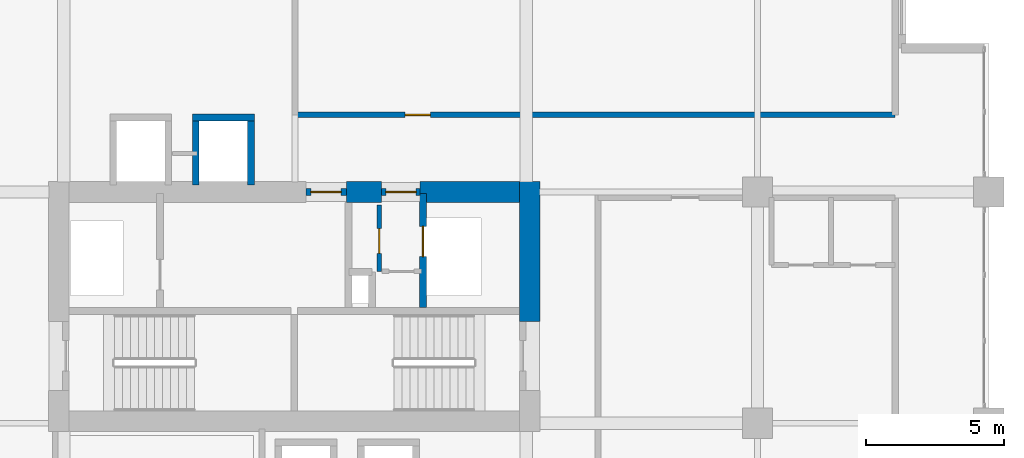
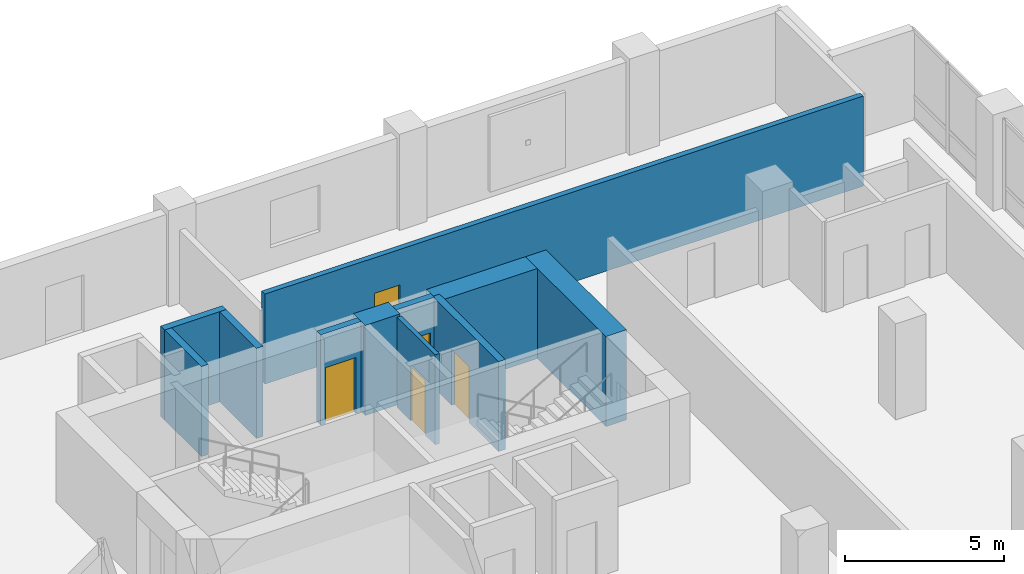
# One storey, part 11 of 22: 11 walls, 5 doors, 5 openings.
"""IFC4 building model written with IfcOpenShell, lengths in metres."""

from ifc_helpers import new_model, si_unit, direction, frame, frame_2d, origin, place, context, subcontext, project, spatial, rectangle, extrude, material, layer, layer_set, type_object, element, fill, save


model = new_model("IFC4")

# Units and contexts
model_context = context("Model", 3, precision=1e-05, world=origin(), true_north=direction((0.0, 1.0)))
body_context = subcontext(model_context, "Body", "Model", "MODEL_VIEW")
ifc_project = project(units=[si_unit("LENGTHUNIT", "METRE"), si_unit("AREAUNIT", "SQUARE_METRE"), si_unit("VOLUMEUNIT", "CUBIC_METRE"), si_unit("PLANEANGLEUNIT", "RADIAN"), si_unit("MASSUNIT", "GRAM", prefix="KILO")], contexts=[model_context])

# Site, building, storey
site_placement = place(None, origin())
site = spatial("IfcSite", under=ifc_project, at=site_placement, CompositionType="ELEMENT")
building_placement = place(site_placement, origin())
building = spatial("IfcBuilding", under=site, at=building_placement, Name="Koriwani Terraces Tower", CompositionType="ELEMENT")
storey_placement = place(building_placement, frame((0.0, 0.0, 168.0)))
storey = spatial("IfcBuildingStorey", under=building, at=storey_placement, Name="L40", CompositionType="ELEMENT", Elevation=168.0)

# Walls
ifc_material_1 = material(Name="Concrete C60/75", Category="concrete")
ifc_layer_1 = layer(ifc_material_1, 0.75, Name="Concrete C60/75")
ifc_layer_set_1 = layer_set([ifc_layer_1], Name="Concrete C60/75")
wall_type_1 = type_object("IfcWallType", Name="WALL_CORE_RC_750", PredefinedType="SHEAR", material=ifc_layer_set_1)
wall_1_placement = place(storey_placement, frame((58.925048828125, 20.5, 0.0), z_axis=(0.0, 0.0, 1.0), x_axis=(0.0, 1.0, 0.0)))
element("IfcWall", 1, at=wall_1_placement, inside=storey, type_object=wall_type_1, Name="L40 East Split Core Shear Wall E2", PredefinedType="SHEAR", context=body_context, shape_type="SweptSolid", body=[
    extrude(rectangle(XDim=5.074951171875, YDim=0.75, at=frame_2d((2.53759765625, 0.0))), origin(), (0.0, 0.0, 1.0), 3.469970703125),
])
wall_2_placement = place(storey_placement, frame((52.280029296875, 25.199951171875, 0.0), z_axis=(0.0, 0.0, 1.0), x_axis=(1.0, 0.0, 0.0)))
element("IfcWall", 2, at=wall_2_placement, inside=storey, type_object=wall_type_1, Name="L40 East Split Core Shear Wall N2", PredefinedType="SHEAR", context=body_context, shape_type="SweptSolid", body=[
    extrude(rectangle(XDim=1.27001953125, YDim=0.75, at=frame_2d((0.635009765625, 0.0))), origin(), (0.0, 0.0, 1.0), 3.469970703125),
])
wall_3_placement = place(storey_placement, frame((54.949951171875, 25.199951171875, 0.0), z_axis=(0.0, 0.0, 1.0), x_axis=(1.0, 0.0, 0.0)))
element("IfcWall", 3, at=wall_3_placement, inside=storey, type_object=wall_type_1, Name="L40 East Split Core Shear Wall N3", PredefinedType="SHEAR", context=body_context, shape_type="SweptSolid", body=[
    extrude(rectangle(XDim=3.60009765625, YDim=0.75, at=frame_2d((1.800048828125, 0.0))), origin(), (0.0, 0.0, 1.0), 3.469970703125),
])

# Wall, opening, door
ifc_material_2 = material(Name="Autoclaved Cellular Concrete Blockwork", Category="masonry")
ifc_layer_2 = layer(ifc_material_2, 0.199951171875, Name="Autoclaved Cellular Concrete Blockwork")
ifc_layer_set_2 = layer_set([ifc_layer_2], Name="Autoclaved Cellular Concrete Blockwork")
wall_type_2 = type_object("IfcWallType", Name="WALL_CORRIDOR_200", PredefinedType="PARTITIONING", material=ifc_layer_set_2)
wall_4_placement = place(storey_placement, frame((50.39990234375, 28.0, 0.0), z_axis=(0.0, 0.0, 1.0), x_axis=(1.0, 0.0, 0.0)))
wall_4 = element("IfcWall", 4, at=wall_4_placement, inside=storey, type_object=wall_type_2, Name="L40 Interior Wall WSEC-S-L40", PredefinedType="PARTITIONING", context=body_context, shape_type="SweptSolid", body=[
    extrude(rectangle(XDim=21.800048828125, YDim=0.199951171875, at=frame_2d((10.89990234375, 0.0))), origin(), (0.0, 0.0, 1.0), 3.469970703125),
])
opening_1_placement = place(wall_4_placement, frame((4.0, 0.0, 0.0)))
opening_1 = element("IfcOpeningElement", 5, at=opening_1_placement, cuts=wall_4, Name="Opening D-06", PredefinedType="OPENING", context=body_context, shape_type="SweptSolid", body=[
    extrude(rectangle(XDim=0.919921875, YDim=2.10009765625, at=frame_2d((0.4599609375, 1.050048828125))), frame((0.0, 0.10986328125, 0.0), z_axis=(0.0, -1.0, 0.0), x_axis=(1.0, 0.0, 0.0)), (0.0, 0.0, 1.0), 0.219970703125),
])
ifc_material_3 = material(Name="Architectural Oak Fire Door", Category="wood")
door_type_1 = type_object("IfcDoorType", Name="DOOR_ROOM_INT_920X2100", OperationType="NOTDEFINED", PredefinedType="DOOR", material=ifc_material_3)
door_1_placement = place(opening_1_placement, origin())
door_1 = element("IfcDoor", 6, at=door_1_placement, inside=storey, type_object=door_type_1, Name="L40 East Court Study Door", OperationType="SINGLE_SWING_LEFT", OverallHeight=2.10009765625, OverallWidth=0.919921875, PredefinedType="DOOR", context=body_context, shape_type="SweptSolid", body=[
    extrude(rectangle(XDim=0.919921875, YDim=2.10009765625, at=frame_2d((0.4599609375, 1.050048828125))), frame((0.0, 0.02490234375, 0.0), z_axis=(0.0, -1.0, 0.0), x_axis=(1.0, 0.0, 0.0)), (0.0, 0.0, 1.0), 0.050048828125),
])
fill(opening_1, door_1)

ifc_material_4 = material(Name="Concrete C40/50", Category="concrete")
ifc_layer_3 = layer(ifc_material_4, 0.25, Name="Concrete C40/50")
ifc_layer_set_3 = layer_set([ifc_layer_3], Name="Concrete C40/50")
wall_type_3 = type_object("IfcWallType", Name="WALL_SHAFT_RATED_250", PredefinedType="SOLIDWALL", material=ifc_layer_set_3)
wall_5_placement = place(storey_placement, frame((50.800048828125, 25.199951171875, 0.0), z_axis=(0.0, 0.0, 1.0), x_axis=(1.0, 0.0, 0.0)))
wall_5 = element("IfcWall", 7, at=wall_5_placement, inside=storey, type_object=wall_type_3, Name="L40 Interior Wall WIN-CE-L40-NP", PredefinedType="SOLIDWALL", context=body_context, shape_type="SweptSolid", body=[
    extrude(rectangle(XDim=1.47998046875, YDim=0.25, at=frame_2d((0.739990234375, 0.0))), origin(), (0.0, 0.0, 1.0), 3.469970703125),
])
opening_2_placement = place(wall_5_placement, frame((0.179931640625, 0.0, 0.0)))
opening_2 = element("IfcOpeningElement", 8, at=opening_2_placement, cuts=wall_5, Name="Opening D-03", PredefinedType="OPENING", context=body_context, shape_type="SweptSolid", body=[
    extrude(rectangle(XDim=1.10009765625, YDim=2.14990234375, at=frame_2d((0.550048828125, 1.074951171875))), frame((0.0, 0.135009765625, 0.0), z_axis=(0.0, -1.0, 0.0), x_axis=(1.0, 0.0, 0.0)), (0.0, 0.0, 1.0), 0.27001953125),
])
ifc_material_5 = material(Name="Steel ASTM A572 Grade 50", Category="steel")
door_type_2 = type_object("IfcDoorType", Name="DOOR_STAIR_FIRE_1100X2150", OperationType="NOTDEFINED", PredefinedType="DOOR", material=ifc_material_5)
door_2_placement = place(opening_2_placement, origin())
door_2 = element("IfcDoor", 9, at=door_2_placement, inside=storey, type_object=door_type_2, Name="L40 East Firefighting Lobby Door", OperationType="SINGLE_SWING_RIGHT", OverallHeight=2.14990234375, OverallWidth=1.10009765625, PredefinedType="DOOR", context=body_context, shape_type="SweptSolid", body=[
    extrude(rectangle(XDim=1.10009765625, YDim=2.14990234375, at=frame_2d((0.550048828125, 1.074951171875))), frame((0.0, 0.02490234375, 0.0), z_axis=(0.0, -1.0, 0.0), x_axis=(1.0, 0.0, 0.0)), (0.0, 0.0, 1.0), 0.050048828125),
])
fill(opening_2, door_2)

wall_6_placement = place(storey_placement, frame((55.050048828125, 21.0, 0.0), z_axis=(0.0, 0.0, 1.0), x_axis=(0.0, 1.0, 0.0)))
wall_6 = element("IfcWall", 10, at=wall_6_placement, inside=storey, type_object=wall_type_3, Name="L40 Interior Wall WIN-CE-L40-SE", PredefinedType="SOLIDWALL", context=body_context, shape_type="SweptSolid", body=[
    extrude(rectangle(XDim=4.14990234375, YDim=0.25, at=frame_2d((2.074951171875, 0.0))), origin(), (0.0, 0.0, 1.0), 3.469970703125),
])
opening_3_placement = place(wall_6_placement, frame((1.85009765625, 0.0, 0.0)))
opening_3 = element("IfcOpeningElement", 11, at=opening_3_placement, cuts=wall_6, Name="Opening LD-01", PredefinedType="OPENING", context=body_context, shape_type="SweptSolid", body=[
    extrude(rectangle(XDim=1.10009765625, YDim=2.14990234375, at=frame_2d((0.550048828125, 1.074951171875))), frame((0.0, 0.135009765625, 0.0), z_axis=(0.0, -1.0, 0.0), x_axis=(1.0, 0.0, 0.0)), (0.0, 0.0, 1.0), 0.27001953125),
])
door_type_3 = type_object("IfcDoorType", Name="DOOR_LIFT_LANDING_1100X2200", OperationType="NOTDEFINED", PredefinedType="DOOR", material=ifc_material_5)
door_3_placement = place(opening_3_placement, origin())
door_3 = element("IfcDoor", 12, at=door_3_placement, inside=storey, type_object=door_type_3, Name="L40 Goods Lift SE-02 Landing Door", OperationType="SLIDING_TO_LEFT", OverallHeight=2.14990234375, OverallWidth=1.10009765625, PredefinedType="DOOR", context=body_context, shape_type="SweptSolid", body=[
    extrude(rectangle(XDim=1.10009765625, YDim=2.14990234375, at=frame_2d((0.550048828125, 1.074951171875))), frame((0.0, 0.02490234375, 0.0), z_axis=(0.0, -1.0, 0.0), x_axis=(1.0, 0.0, 0.0)), (0.0, 0.0, 1.0), 0.050048828125),
])
fill(opening_3, door_3)

wall_7_placement = place(storey_placement, frame((53.550048828125, 25.199951171875, 0.0), z_axis=(0.0, 0.0, 1.0), x_axis=(1.0, 0.0, 0.0)))
wall_7 = element("IfcWall", 13, at=wall_7_placement, inside=storey, type_object=wall_type_3, Name="L40 Interior Wall WIN-CE-L40-NP2", PredefinedType="SOLIDWALL", context=body_context, shape_type="SweptSolid", body=[
    extrude(rectangle(XDim=1.39990234375, YDim=0.25, at=frame_2d((0.699951171875, 0.0))), origin(), (0.0, 0.0, 1.0), 3.469970703125),
])
opening_4_placement = place(wall_7_placement, frame((0.14990234375, 0.0, 0.0)))
opening_4 = element("IfcOpeningElement", 14, at=opening_4_placement, cuts=wall_7, Name="Opening D-03", PredefinedType="OPENING", context=body_context, shape_type="SweptSolid", body=[
    extrude(rectangle(XDim=1.10009765625, YDim=2.14990234375, at=frame_2d((0.550048828125, 1.074951171875))), frame((0.0, 0.135009765625, 0.0), z_axis=(0.0, -1.0, 0.0), x_axis=(1.0, 0.0, 0.0)), (0.0, 0.0, 1.0), 0.27001953125),
])
door_4_placement = place(opening_4_placement, origin())
door_4 = element("IfcDoor", 15, at=door_4_placement, inside=storey, type_object=door_type_2, Name="L40 East Goods Lift Lobby Door", OperationType="SINGLE_SWING_LEFT", OverallHeight=2.14990234375, OverallWidth=1.10009765625, PredefinedType="DOOR", context=body_context, shape_type="SweptSolid", body=[
    extrude(rectangle(XDim=1.10009765625, YDim=2.14990234375, at=frame_2d((0.550048828125, 1.074951171875))), frame((0.0, 0.02490234375, 0.0), z_axis=(0.0, -1.0, 0.0), x_axis=(1.0, 0.0, 0.0)), (0.0, 0.0, 1.0), 0.050048828125),
])
fill(opening_4, door_4)

# Walls
wall_8_placement = place(storey_placement, frame((46.675048828125, 27.89990234375, 0.0), z_axis=(0.0, 0.0, 1.0), x_axis=(1.0, 0.0, 0.0)))
element("IfcWall", 16, at=wall_8_placement, inside=storey, type_object=wall_type_3, Name="L40 Interior Wall WIN-LF-PE-H4-L40-F", PredefinedType="SOLIDWALL", context=body_context, shape_type="SweptSolid", body=[
    extrude(rectangle(XDim=2.25, YDim=0.25, at=frame_2d((1.125, 0.0))), origin(), (0.0, 0.0, 1.0), 3.469970703125),
])
for number, where, z_axis, x_axis, name in (
    (17, (46.800048828125, 25.449951171875, 0.0), (0.0, 0.0, 1.0), (0.0, 1.0, 0.0), "L40 Interior Wall WIN-LF-PE-H4-L40-W"),
    (18, (48.800048828125, 25.449951171875, 0.0), (0.0, 0.0, 1.0), (0.0, 1.0, 0.0), "L40 Interior Wall WIN-LF-PE-H4-L40-E"),
):
    element("IfcWall", number, at=place(storey_placement, frame(where, z_axis=z_axis, x_axis=x_axis)), inside=storey, type_object=wall_type_3, Name=name, PredefinedType="SOLIDWALL", context=body_context, shape_type="SweptSolid", body=[
        extrude(rectangle(XDim=2.324951171875, YDim=0.25, at=frame_2d((1.16259765625, 0.0))), origin(), (0.0, 0.0, 1.0), 3.469970703125),
    ])

# Wall, opening, door
ifc_material_6 = material(Name="Fire-Rated Acoustic Gypsum Partition", Category="masonry")
ifc_layer_4 = layer(ifc_material_6, 0.159912109375, Name="Fire-Rated Acoustic Gypsum Partition")
ifc_layer_set_4 = layer_set([ifc_layer_4], Name="Fire-Rated Acoustic Gypsum Partition")
wall_type_4 = type_object("IfcWallType", Name="WALL_SUITE_160", PredefinedType="PARTITIONING", material=ifc_layer_set_4)
wall_9_placement = place(storey_placement, frame((53.4599609375, 22.320068359375, 0.0), z_axis=(0.0, 0.0, 1.0), x_axis=(0.0, 1.0, 0.0)))
wall_9 = element("IfcWall", 19, at=wall_9_placement, inside=storey, type_object=wall_type_4, Name="L40 Interior Wall WIN-CE-L40-SV1B", PredefinedType="PARTITIONING", context=body_context, shape_type="SweptSolid", body=[
    extrude(rectangle(XDim=2.39990234375, YDim=0.159912109375, at=frame_2d((1.199951171875, 0.0))), origin(), (0.0, 0.0, 1.0), 3.469970703125),
])
opening_5_placement = place(wall_9_placement, frame((0.64990234375, 0.0, 0.0)))
opening_5 = element("IfcOpeningElement", 20, at=opening_5_placement, cuts=wall_9, Name="Opening D-07", PredefinedType="OPENING", context=body_context, shape_type="SweptSolid", body=[
    extrude(rectangle(XDim=0.89990234375, YDim=2.10009765625, at=frame_2d((0.449951171875, 1.050048828125))), frame((0.0, 0.08984375, 0.0), z_axis=(0.0, -1.0, 0.0), x_axis=(1.0, 0.0, 0.0)), (0.0, 0.0, 1.0), 0.179931640625),
])
door_type_4 = type_object("IfcDoorType", Name="DOOR_BATH_INT_900X2100", OperationType="NOTDEFINED", PredefinedType="DOOR", material=ifc_material_3)
door_5_placement = place(opening_5_placement, origin())
door_5 = element("IfcDoor", 21, at=door_5_placement, inside=storey, type_object=door_type_4, Name="L40 East Cleaners Closet Door", OperationType="SINGLE_SWING_LEFT", OverallHeight=2.10009765625, OverallWidth=0.89990234375, PredefinedType="DOOR", context=body_context, shape_type="SweptSolid", body=[
    extrude(rectangle(XDim=0.89990234375, YDim=2.10009765625, at=frame_2d((0.449951171875, 1.050048828125))), frame((0.0, 0.02490234375, 0.0), z_axis=(0.0, -1.0, 0.0), x_axis=(1.0, 0.0, 0.0)), (0.0, 0.0, 1.0), 0.050048828125),
])
fill(opening_5, door_5)

save(model, "model.ifc")
